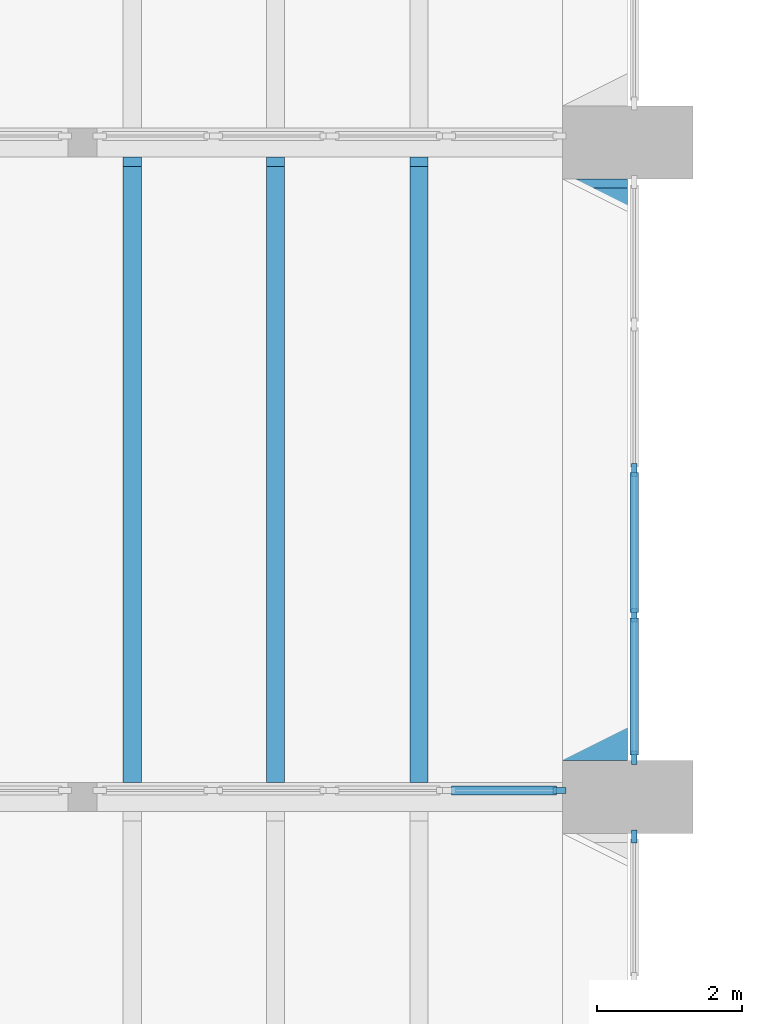
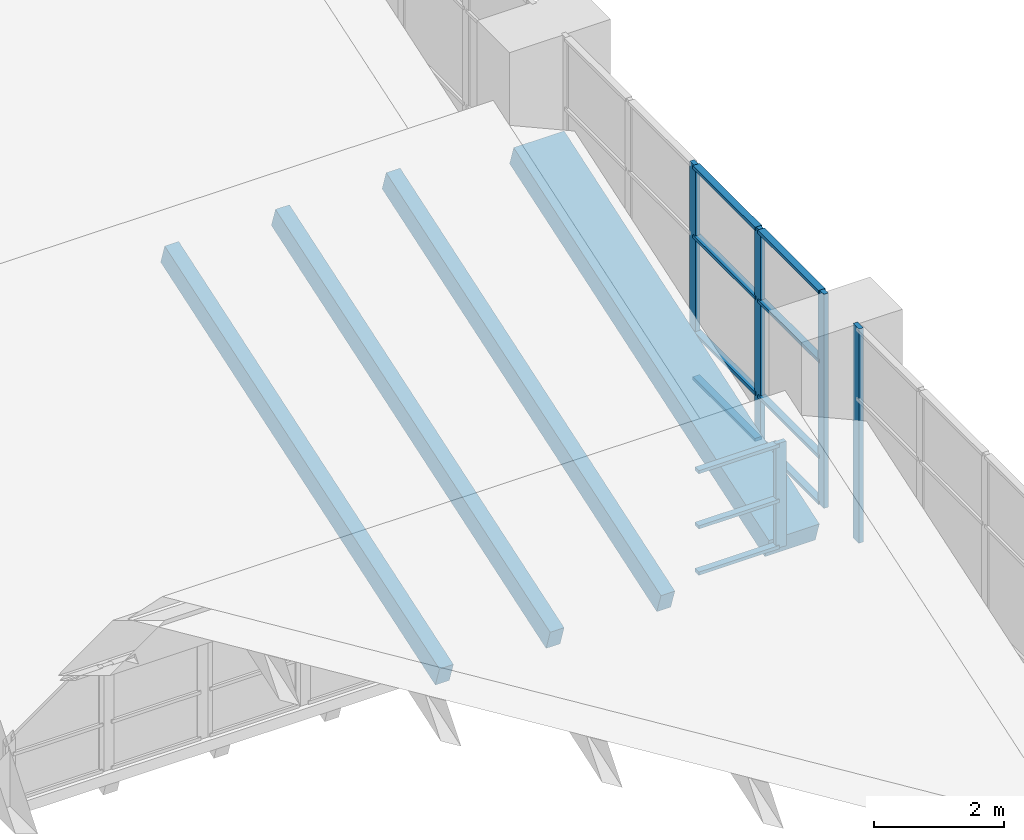
# One storey, part 5 of 43: 16 members, 4 beams, 3 elements without a shape of their own.
"""IFC4 building model written with IfcOpenShell, lengths in metres."""

from ifc_helpers import new_model, si_unit, direction, frame, origin, origin_2d, place, context, subcontext, project, spatial, rectangle, extrude, material, material_profile, profile_set, type_object, element, aggregate, save


model = new_model("IFC4")

# Units and contexts
model_context = context("Model", 3, precision=1e-05, world=origin(), true_north=direction((0.0, 1.0)))
body_context = subcontext(model_context, "Body", "Model", "MODEL_VIEW")
ifc_project = project(units=[si_unit("LENGTHUNIT", "METRE"), si_unit("AREAUNIT", "SQUARE_METRE"), si_unit("VOLUMEUNIT", "CUBIC_METRE"), si_unit("PLANEANGLEUNIT", "RADIAN"), si_unit("MASSUNIT", "GRAM", prefix="KILO")], contexts=[model_context])

# Site, building, storey
site_placement = place(None, origin())
site = spatial("IfcSite", under=ifc_project, at=site_placement, CompositionType="ELEMENT")
building_placement = place(site_placement, origin())
building = spatial("IfcBuilding", under=site, at=building_placement, Name="Elmora Arch Market Hall", CompositionType="ELEMENT")
storey_placement = place(building_placement, frame((0.0, 0.0, 10.199951171875)))
storey = spatial("IfcBuildingStorey", under=building, at=storey_placement, Name="L02", CompositionType="ELEMENT", Elevation=10.199951171875)

# Curtain wall, member
ifc_material_1 = material(Name="Aluminium", Category="aluminium")
curtain_wall_type_1 = type_object("IfcCurtainWallType", Name="Hall front curtain wall", PredefinedType="NOTDEFINED", material=ifc_material_1)
curtain_wall_1_placement = place(storey_placement, origin())
curtain_wall_1 = element("IfcCurtainWall", 1, at=curtain_wall_1_placement, inside=storey, type_object=curtain_wall_type_1, Name="Hall west glazing L02 2", PredefinedType="NOTDEFINED")
ifc_material_2 = material(Name="Aluminium", Category="aluminium")
ifc_material_profile_1 = material_profile(ifc_material_2, rectangle(XDim=0.080078125, YDim=0.179931640625, at=origin_2d()), Name="AL 80x180")
ifc_profile_set_1 = profile_set([ifc_material_profile_1], Name="Aluminium")
member_type_1 = type_object("IfcMemberType", Name="Mullion 80x180", PredefinedType="MULLION", material=ifc_profile_set_1)
member_1_placement = place(storey_placement, frame((15.090087890625, 44.4599609375, 0.166748046875), z_axis=(0.0, 0.0, 1.0), x_axis=(-1.0, 0.0, 0.0)))
member_1 = element("IfcMember", 2, at=member_1_placement, type_object=member_type_1, Name="CW2 mullion 5", PredefinedType="MULLION", context=body_context, shape_type="SweptSolid", body=[
    extrude(rectangle(XDim=0.080078125, YDim=0.179931640625, at=origin_2d()), origin(), (0.0, 0.0, 1.0), 4.033203125),
])
aggregate(curtain_wall_1, [member_1])

# Curtain wall, members
curtain_wall_2_placement = place(storey_placement, origin())
curtain_wall_2 = element("IfcCurtainWall", 3, at=curtain_wall_2_placement, inside=storey, type_object=curtain_wall_type_1, Name="Hall west glazing L02 3", PredefinedType="NOTDEFINED")
member_2_placement = place(storey_placement, frame((15.090087890625, 45.5400390625, 0.166748046875), z_axis=(0.0, 0.0, 1.0), x_axis=(-1.0, 0.0, 0.0)))
member_2 = element("IfcMember", 4, at=member_2_placement, type_object=member_type_1, Name="CW2 mullion 1", PredefinedType="MULLION", context=body_context, shape_type="SweptSolid", body=[
    extrude(rectangle(XDim=0.080078125, YDim=0.179931640625, at=origin_2d()), origin(), (0.0, 0.0, 1.0), 4.033203125),
])
member_3_placement = place(storey_placement, frame((15.090087890625, 47.5, 0.166748046875), z_axis=(0.0, 0.0, 1.0), x_axis=(-1.0, 0.0, 0.0)))
member_3 = element("IfcMember", 5, at=member_3_placement, type_object=member_type_1, Name="CW2 mullion 2", PredefinedType="MULLION", context=body_context, shape_type="SweptSolid", body=[
    extrude(rectangle(XDim=0.080078125, YDim=0.179931640625, at=origin_2d()), origin(), (0.0, 0.0, 1.0), 4.033203125),
])
member_4_placement = place(storey_placement, frame((15.090087890625, 49.5, 0.166748046875), z_axis=(0.0, 0.0, 1.0), x_axis=(-1.0, 0.0, 0.0)))
member_4 = element("IfcMember", 6, at=member_4_placement, type_object=member_type_1, Name="CW2 mullion 3", PredefinedType="MULLION", context=body_context, shape_type="SweptSolid", body=[
    extrude(rectangle(XDim=0.080078125, YDim=0.179931640625, at=origin_2d()), origin(), (0.0, 0.0, 1.0), 4.033203125),
])

# Curtain wall, member
ifc_material_3 = material(Name="Aluminium", Category="aluminium")
curtain_wall_type_2 = type_object("IfcCurtainWallType", Name="Sawtooth glazing curtain wall", PredefinedType="NOTDEFINED", material=ifc_material_3)
curtain_wall_3_placement = place(storey_placement, origin())
curtain_wall_3 = element("IfcCurtainWall", 7, at=curtain_wall_3_placement, inside=storey, type_object=curtain_wall_type_2, Name="Sawtooth riser 2 part 2.4", PredefinedType="NOTDEFINED")
member_5_placement = place(storey_placement, frame((14.06005859375, 45.090087890625, 0.030029296875), z_axis=(0.0, 0.0, 1.0), x_axis=(0.0, 1.0, 0.0)))
member_5 = element("IfcMember", 8, at=member_5_placement, type_object=member_type_1, Name="CW7 mullion 2", PredefinedType="MULLION", context=body_context, shape_type="SweptSolid", body=[
    extrude(rectangle(XDim=0.080078125, YDim=0.179931640625, at=origin_2d()), origin(), (0.0, 0.0, 1.0), 1.969970703125),
])

# Beams
ifc_material_4 = material(Name="Concrete C32/40", Category="concrete")
ifc_material_profile_2 = material_profile(ifc_material_4, rectangle(XDim=0.89990234375, YDim=0.39990234375, at=origin_2d()), Name="Sawtooth edge beam 900x400")
ifc_profile_set_2 = profile_set([ifc_material_profile_2], Name="Concrete C32/40")
beam_type_1 = type_object("IfcBeamType", Name="Sawtooth edge beam 900x400", PredefinedType="BEAM", material=ifc_profile_set_2)
beam_placement = place(storey_placement, frame((14.550048828125, 45.563232421875, -0.322998046875), z_axis=(0.0, 0.948683298051, 0.316227766017), x_axis=(-1.0, 0.0, 0.0)))
element("IfcBeam", 9, at=beam_placement, inside=storey, type_object=beam_type_1, Name="Sawtooth edge beam 3", PredefinedType="BEAM", context=body_context, shape_type="SweptSolid", body=[
    extrude(rectangle(XDim=0.89990234375, YDim=0.39990234375, at=origin_2d()), origin(), (0.0, 0.0, 1.0), 8.29931640625),
])
ifc_material_5 = material(Name="Concrete C32/40", Category="concrete")
ifc_material_profile_3 = material_profile(ifc_material_5, rectangle(XDim=0.25, YDim=0.39990234375, at=origin_2d()), Name="Sawtooth rafter 250x400")
ifc_profile_set_3 = profile_set([ifc_material_profile_3], Name="Concrete C32/40")
beam_type_2 = type_object("IfcBeamType", Name="Sawtooth rafter 250x400", PredefinedType="BEAM", material=ifc_profile_set_3)
for number, where, z_axis, x_axis, name in (
    (10, (8.185791015625, 45.26318359375, -0.443115234375), (0.0, 0.94868603135, 0.316219565999), (-1.0, 0.0, 0.0), "Sawtooth rafter 3.4"),
    (11, (10.156982421875, 45.26318359375, -0.443115234375), (0.0, 0.94868603135, 0.316219565999), (-1.0, 0.0, 0.0), "Sawtooth rafter 3.5"),
    (12, (12.128662109375, 45.26318359375, -0.443115234375), (0.0, 0.94868603135, 0.316219565999), (-1.0, 0.0, 0.0), "Sawtooth rafter 3.6"),
):
    element("IfcBeam", number, at=place(storey_placement, frame(where, z_axis=z_axis, x_axis=x_axis)), inside=storey, type_object=beam_type_2, Name=name, PredefinedType="BEAM", context=body_context, shape_type="SweptSolid", body=[
        extrude(rectangle(XDim=0.25, YDim=0.39990234375, at=origin_2d()), origin(), (0.0, 0.0, 1.0), 8.931884765625),
    ])

# Member
ifc_material_6 = material(Name="Aluminium", Category="aluminium")
ifc_material_profile_4 = material_profile(ifc_material_6, rectangle(XDim=0.1201171875, YDim=0.06005859375, at=origin_2d()), Name="AL 120x60")
ifc_profile_set_4 = profile_set([ifc_material_profile_4], Name="Aluminium")
member_type_2 = type_object("IfcMemberType", Name="Transom 120x60", PredefinedType="USERDEFINED", material=ifc_profile_set_4)
member_6_placement = place(storey_placement, frame((15.090087890625, 45.580078125, 0.19677734375), z_axis=(0.0, 1.0, 0.0), x_axis=(-1.0, 0.0, 0.0)))
member_6 = element("IfcMember", 13, at=member_6_placement, type_object=member_type_2, Name="CW2 transom 1.1", ObjectType="TRANSOM", PredefinedType="USERDEFINED", context=body_context, shape_type="SweptSolid", body=[
    extrude(rectangle(XDim=0.1201171875, YDim=0.06005859375, at=origin_2d()), origin(), (0.0, 0.0, 1.0), 1.8798828125),
])

member_7_placement = place(storey_placement, frame((15.090087890625, 45.580078125, 1.066650390625), z_axis=(0.0, 1.0, 0.0), x_axis=(-1.0, 0.0, 0.0)))
member_7 = element("IfcMember", 14, at=member_7_placement, type_object=member_type_2, Name="CW2 transom 1.2", ObjectType="TRANSOM", PredefinedType="USERDEFINED", context=body_context, shape_type="SweptSolid", body=[
    extrude(rectangle(XDim=0.1201171875, YDim=0.06005859375, at=origin_2d()), origin(), (0.0, 0.0, 1.0), 1.8798828125),
])

member_8_placement = place(storey_placement, frame((15.090087890625, 45.580078125, 2.86669921875), z_axis=(0.0, 1.0, 0.0), x_axis=(-1.0, 0.0, 0.0)))
member_8 = element("IfcMember", 15, at=member_8_placement, type_object=member_type_2, Name="CW2 transom 1.3", ObjectType="TRANSOM", PredefinedType="USERDEFINED", context=body_context, shape_type="SweptSolid", body=[
    extrude(rectangle(XDim=0.1201171875, YDim=0.06005859375, at=origin_2d()), origin(), (0.0, 0.0, 1.0), 1.8798828125),
])

member_9_placement = place(storey_placement, frame((15.090087890625, 45.580078125, 4.170166015625), z_axis=(0.0, 1.0, 0.0), x_axis=(-1.0, 0.0, 0.0)))
member_9 = element("IfcMember", 16, at=member_9_placement, type_object=member_type_2, Name="CW2 transom 1.4", ObjectType="TRANSOM", PredefinedType="USERDEFINED", context=body_context, shape_type="SweptSolid", body=[
    extrude(rectangle(XDim=0.1201171875, YDim=0.06005859375, at=origin_2d()), origin(), (0.0, 0.0, 1.0), 1.8798828125),
])

member_10_placement = place(storey_placement, frame((15.090087890625, 47.5400390625, 0.19677734375), z_axis=(0.0, 1.0, 0.0), x_axis=(-1.0, 0.0, 0.0)))
member_10 = element("IfcMember", 17, at=member_10_placement, type_object=member_type_2, Name="CW2 transom 2.1", ObjectType="TRANSOM", PredefinedType="USERDEFINED", context=body_context, shape_type="SweptSolid", body=[
    extrude(rectangle(XDim=0.1201171875, YDim=0.06005859375, at=origin_2d()), origin(), (0.0, 0.0, 1.0), 1.919921875),
])

member_11_placement = place(storey_placement, frame((15.090087890625, 47.5400390625, 1.066650390625), z_axis=(0.0, 1.0, 0.0), x_axis=(-1.0, 0.0, 0.0)))
member_11 = element("IfcMember", 18, at=member_11_placement, type_object=member_type_2, Name="CW2 transom 2.2", ObjectType="TRANSOM", PredefinedType="USERDEFINED", context=body_context, shape_type="SweptSolid", body=[
    extrude(rectangle(XDim=0.1201171875, YDim=0.06005859375, at=origin_2d()), origin(), (0.0, 0.0, 1.0), 1.919921875),
])

member_12_placement = place(storey_placement, frame((15.090087890625, 47.5400390625, 2.86669921875), z_axis=(0.0, 1.0, 0.0), x_axis=(-1.0, 0.0, 0.0)))
member_12 = element("IfcMember", 19, at=member_12_placement, type_object=member_type_2, Name="CW2 transom 2.3", ObjectType="TRANSOM", PredefinedType="USERDEFINED", context=body_context, shape_type="SweptSolid", body=[
    extrude(rectangle(XDim=0.1201171875, YDim=0.06005859375, at=origin_2d()), origin(), (0.0, 0.0, 1.0), 1.919921875),
])

member_13_placement = place(storey_placement, frame((15.090087890625, 47.5400390625, 4.170166015625), z_axis=(0.0, 1.0, 0.0), x_axis=(-1.0, 0.0, 0.0)))
member_13 = element("IfcMember", 20, at=member_13_placement, type_object=member_type_2, Name="CW2 transom 2.4", ObjectType="TRANSOM", PredefinedType="USERDEFINED", context=body_context, shape_type="SweptSolid", body=[
    extrude(rectangle(XDim=0.1201171875, YDim=0.06005859375, at=origin_2d()), origin(), (0.0, 0.0, 1.0), 1.919921875),
])

aggregate(curtain_wall_2, [member_2, member_3, member_4, member_6, member_7, member_8, member_9, member_10, member_11, member_12, member_13])

member_14_placement = place(storey_placement, frame((12.580078125, 45.090087890625, 0.06005859375), z_axis=(1.0, 0.0, 0.0), x_axis=(0.0, 1.0, 0.0)))
member_14 = element("IfcMember", 21, at=member_14_placement, type_object=member_type_2, Name="CW7 transom 1.1", ObjectType="TRANSOM", PredefinedType="USERDEFINED", context=body_context, shape_type="SweptSolid", body=[
    extrude(rectangle(XDim=0.1201171875, YDim=0.06005859375, at=origin_2d()), origin(), (0.0, 0.0, 1.0), 1.43994140625),
])

member_15_placement = place(storey_placement, frame((12.580078125, 45.090087890625, 0.929931640625), z_axis=(1.0, 0.0, 0.0), x_axis=(0.0, 1.0, 0.0)))
member_15 = element("IfcMember", 22, at=member_15_placement, type_object=member_type_2, Name="CW7 transom 1.2", ObjectType="TRANSOM", PredefinedType="USERDEFINED", context=body_context, shape_type="SweptSolid", body=[
    extrude(rectangle(XDim=0.1201171875, YDim=0.06005859375, at=origin_2d()), origin(), (0.0, 0.0, 1.0), 1.43994140625),
])

member_16_placement = place(storey_placement, frame((12.580078125, 45.090087890625, 1.969970703125), z_axis=(1.0, 0.0, 0.0), x_axis=(0.0, 1.0, 0.0)))
member_16 = element("IfcMember", 23, at=member_16_placement, type_object=member_type_2, Name="CW7 transom 1.3", ObjectType="TRANSOM", PredefinedType="USERDEFINED", context=body_context, shape_type="SweptSolid", body=[
    extrude(rectangle(XDim=0.1201171875, YDim=0.06005859375, at=origin_2d()), origin(), (0.0, 0.0, 1.0), 1.43994140625),
])

aggregate(curtain_wall_3, [member_5, member_14, member_15, member_16])

save(model, "model.ifc")
